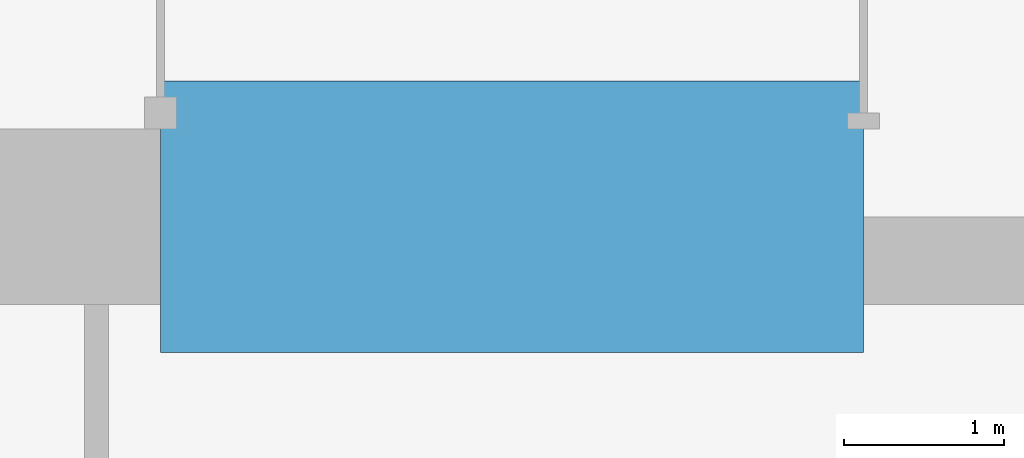
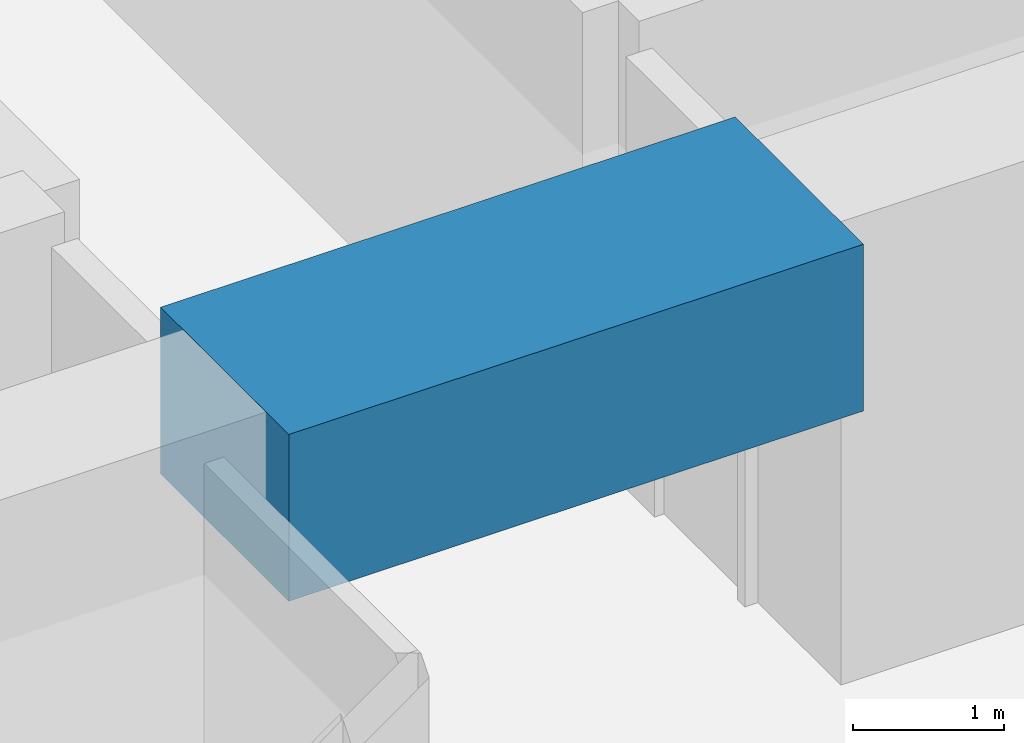
# One storey, part 13 of 45: 1 beam.
"""IFC4 building model written with IfcOpenShell, lengths in metres."""

from ifc_helpers import new_model, si_unit, direction, frame, origin, origin_2d, place, context, subcontext, project, spatial, rectangle, extrude, material, material_profile, profile_set, type_object, element, save


model = new_model("IFC4")

# Units and contexts
model_context = context("Model", 3, precision=1e-05, world=origin(), true_north=direction((0.0, 1.0)))
body_context = subcontext(model_context, "Body", "Model", "MODEL_VIEW")
ifc_project = project(units=[si_unit("LENGTHUNIT", "METRE"), si_unit("AREAUNIT", "SQUARE_METRE"), si_unit("VOLUMEUNIT", "CUBIC_METRE"), si_unit("PLANEANGLEUNIT", "RADIAN"), si_unit("MASSUNIT", "GRAM", prefix="KILO")], contexts=[model_context])

# Site, building, storey
site_placement = place(None, origin())
site = spatial("IfcSite", under=ifc_project, at=site_placement, CompositionType="ELEMENT")
building_placement = place(site_placement, origin())
building = spatial("IfcBuilding", under=site, at=building_placement, Name="Rekha Terrace Tower", CompositionType="ELEMENT")
storey_placement = place(building_placement, frame((0.0, 0.0, 44.14990234375)))
storey = spatial("IfcBuildingStorey", under=building, at=storey_placement, Name="L10", CompositionType="ELEMENT", Elevation=44.14990234375)

# Beam
ifc_material = material(Name="Concrete M70", Category="concrete")
ifc_material_profile = material_profile(ifc_material, rectangle(XDim=1.699951171875, YDim=1.35009765625, at=origin_2d()), Name="RC 1700x1350")
ifc_profile_set = profile_set([ifc_material_profile], Name="Concrete M70")
beam_type = type_object("IfcBeamType", Name="LB1A 1700x1350 diagonally reinforced coupling beam", PredefinedType="LINTEL", material=ifc_profile_set)
beam_placement = place(storey_placement, frame((35.60009765625, 21.0, 3.0751953125), z_axis=(1.0, 0.0, 0.0), x_axis=(0.0, 1.0, 0.0)))
element("IfcBeam", 1, at=beam_placement, inside=storey, type_object=beam_type, Name="Coupling beam LB1A S L10", PredefinedType="LINTEL", context=body_context, shape_type="SweptSolid", body=[
    extrude(rectangle(XDim=1.699951171875, YDim=1.35009765625, at=origin_2d()), origin(), (0.0, 0.0, 1.0), 4.39990234375),
])

save(model, "model.ifc")
